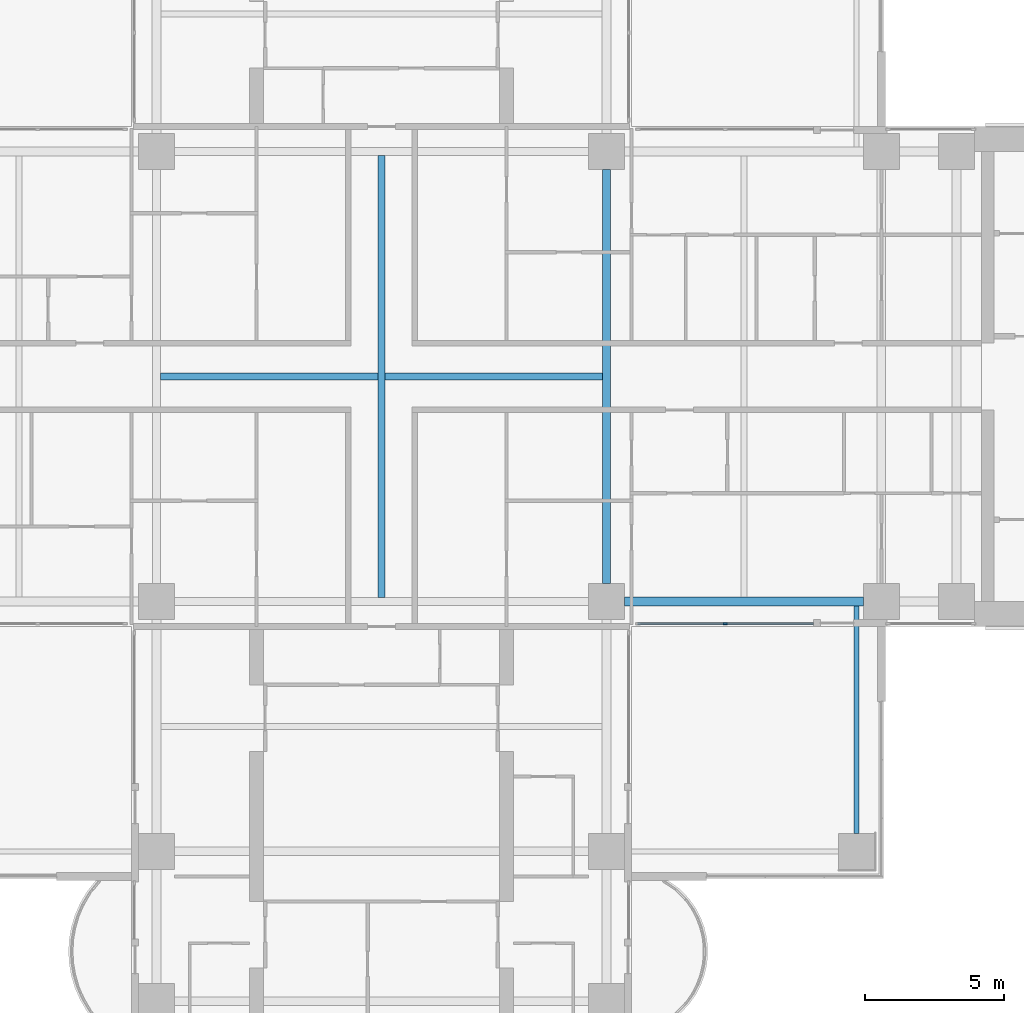
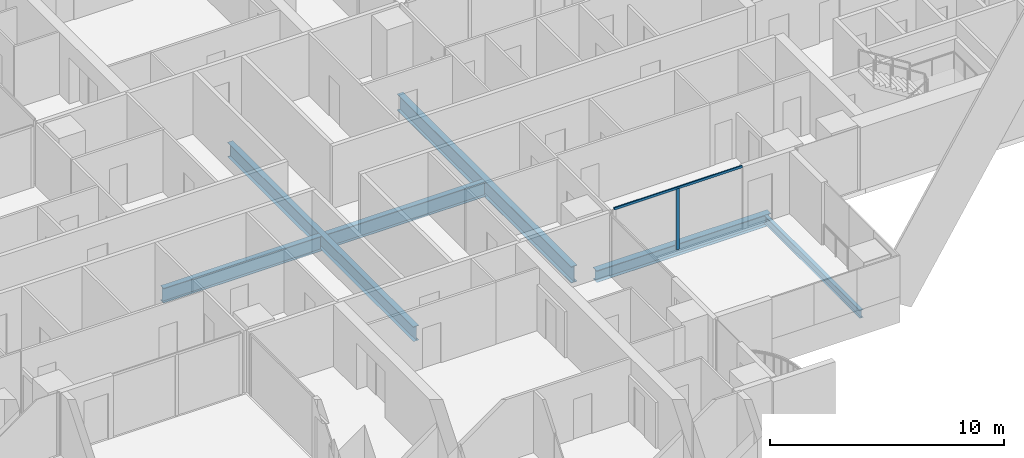
# One storey, part 4 of 23: 6 beams, 2 members, 1 element without a shape of its own.
"""IFC4 building model written with IfcOpenShell, lengths in metres."""

from ifc_helpers import new_model, si_unit, direction, frame, origin, origin_2d, place, context, subcontext, project, spatial, rectangle, i_section, extrude, material, material_profile, profile_set, type_object, element, aggregate, save


model = new_model("IFC4")

# Units and contexts
model_context = context("Model", 3, precision=1e-05, world=origin(), true_north=direction((0.0, 1.0)))
body_context = subcontext(model_context, "Body", "Model", "MODEL_VIEW")
ifc_project = project(units=[si_unit("LENGTHUNIT", "METRE"), si_unit("AREAUNIT", "SQUARE_METRE"), si_unit("VOLUMEUNIT", "CUBIC_METRE"), si_unit("PLANEANGLEUNIT", "RADIAN"), si_unit("MASSUNIT", "GRAM", prefix="KILO")], contexts=[model_context])

# Site, building, storey
site_placement = place(None, origin())
site = spatial("IfcSite", under=ifc_project, at=site_placement, CompositionType="ELEMENT")
building_placement = place(site_placement, origin())
building = spatial("IfcBuilding", under=site, at=building_placement, Name="Perihelion Cross Residences", CompositionType="ELEMENT")
storey_placement = place(building_placement, frame((0.0, 0.0, 85.5)))
storey = spatial("IfcBuildingStorey", under=building, at=storey_placement, Name="L19", CompositionType="ELEMENT", Elevation=85.5)

# Curtain wall, members
ifc_material_1 = material(Name="Bronze anodised aluminium, tinted glazing", Category="aluminium")
curtain_wall_type = type_object("IfcCurtainWallType", Name="CW1", PredefinedType="NOTDEFINED", material=ifc_material_1)
curtain_wall_placement = place(storey_placement, origin())
curtain_wall = element("IfcCurtainWall", 1, at=curtain_wall_placement, inside=storey, type_object=curtain_wall_type, Name="Curtain wall CW1 L19 east side south bay 1", PredefinedType="NOTDEFINED")
ifc_material_2 = material(Name="Bronze anodised aluminium", Category="aluminium")
ifc_material_profile_1 = material_profile(ifc_material_2, rectangle(XDim=0.06005859375, YDim=0.159912109375, at=origin_2d()), Name="CW1 mullion")
ifc_profile_set_1 = profile_set([ifc_material_profile_1], Name="Bronze anodised aluminium")
member_type_1 = type_object("IfcMemberType", Name="CW1 mullion", PredefinedType="MULLION", material=ifc_profile_set_1)
member_1_placement = place(storey_placement, frame((12.375, -8.89990234375, 0.0), z_axis=(0.0, 0.0, 1.0), x_axis=(0.0, 1.0, 0.0)))
member_1 = element("IfcMember", 2, at=member_1_placement, type_object=member_type_1, Name="CW1 mullion 2", PredefinedType="MULLION", context=body_context, shape_type="SweptSolid", body=[
    extrude(rectangle(XDim=0.06005859375, YDim=0.159912109375, at=origin_2d()), origin(), (0.0, 0.0, 1.0), 3.18994140625),
])
ifc_material_3 = material(Name="Bronze anodised aluminium", Category="aluminium")
ifc_material_profile_2 = material_profile(ifc_material_3, rectangle(XDim=0.06005859375, YDim=0.1201171875, at=origin_2d()), Name="CW1 transom")
ifc_profile_set_2 = profile_set([ifc_material_profile_2], Name="Bronze anodised aluminium")
member_type_2 = type_object("IfcMemberType", Name="CW1 transom", PredefinedType="USERDEFINED", material=ifc_profile_set_2)
member_2_placement = place(storey_placement, frame((9.22998046875, -8.89990234375, 3.219970703125), z_axis=(1.0, 0.0, 0.0), x_axis=(0.0, 1.0, 0.0)))
member_2 = element("IfcMember", 3, at=member_2_placement, type_object=member_type_2, Name="CW1 head transom", ObjectType="TRANSOM", PredefinedType="USERDEFINED", context=body_context, shape_type="SweptSolid", body=[
    extrude(rectangle(XDim=0.06005859375, YDim=0.1201171875, at=origin_2d()), origin(), (0.0, 0.0, 1.0), 6.320068359375),
])
aggregate(curtain_wall, [member_1, member_2])

# Beams
ifc_material_4 = material(Name="Steel S355", Category="steel")
ifc_material_profile_3 = material_profile(ifc_material_4, i_section(OverallWidth=0.177978515625, OverallDepth=0.406005859375, WebThickness=0.0078125, FlangeThickness=0.0126953125, at=origin_2d()), Name="W410x60")
ifc_profile_set_3 = profile_set([ifc_material_profile_3], Name="Steel S355")
beam_type_1 = type_object("IfcBeamType", Name="Core edge beam W410x60", PredefinedType="BEAM", material=ifc_profile_set_3)
beam_1_placement = place(storey_placement, frame((17.10009765625, -8.262451171875, -0.452880859375), z_axis=(0.0, -1.0, 0.0), x_axis=(1.0, 0.0, 0.0)))
element("IfcBeam", 4, at=beam_1_placement, inside=storey, type_object=beam_type_1, Name="Core edge beam TB2 L19 corner no. 5", PredefinedType="BEAM", context=body_context, shape_type="SweptSolid", body=[
    extrude(i_section(OverallWidth=0.177978515625, OverallDepth=0.406005859375, WebThickness=0.0078125, FlangeThickness=0.0126953125, at=origin_2d()), origin(), (0.0, 0.0, 1.0), 8.1875),
])
ifc_material_5 = material(Name="Steel S355", Category="steel")
ifc_material_profile_4 = material_profile(ifc_material_5, i_section(OverallWidth=0.324951171875, OverallDepth=0.616943359375, WebThickness=0.013916015625, FlangeThickness=0.021484375, at=origin_2d()), Name="W610x174")
ifc_profile_set_4 = profile_set([ifc_material_profile_4], Name="Steel S355")
beam_type_2 = type_object("IfcBeamType", Name="Edge beam W610x174", PredefinedType="SPANDREL", material=ifc_profile_set_4)
beam_2_placement = place(storey_placement, frame((8.75, -8.10009765625, -0.55859375), z_axis=(1.0, 0.0, 0.0), x_axis=(0.0, 1.0, 0.0)))
element("IfcBeam", 5, at=beam_2_placement, inside=storey, type_object=beam_type_2, Name="Edge beam SB2 L19 no. 18", PredefinedType="SPANDREL", context=body_context, shape_type="SweptSolid", body=[
    extrude(i_section(OverallWidth=0.324951171875, OverallDepth=0.616943359375, WebThickness=0.013916015625, FlangeThickness=0.021484375, at=origin_2d()), origin(), (0.0, 0.0, 1.0), 8.60009765625),
])
ifc_material_6 = material(Name="Steel S355", Category="steel")
ifc_material_profile_5 = material_profile(ifc_material_6, i_section(OverallWidth=0.26708984375, OverallDepth=0.77001953125, WebThickness=0.015625, FlangeThickness=0.025390625, at=origin_2d()), Name="W760x196")
ifc_profile_set_5 = profile_set([ifc_material_profile_5], Name="Steel S355")
beam_type_3 = type_object("IfcBeamType", Name="Hub cross beam W760x196", PredefinedType="BEAM", material=ifc_profile_set_5)
beam_3_placement = place(storey_placement, frame((0.0, -7.9541015625, -0.635009765625), z_axis=(0.0, 1.0, 0.0), x_axis=(-1.0, 0.0, 0.0)))
element("IfcBeam", 6, at=beam_3_placement, inside=storey, type_object=beam_type_3, Name="Hub cross beam XB2 L19 no. 1", PredefinedType="BEAM", context=body_context, shape_type="SweptSolid", body=[
    extrude(i_section(OverallWidth=0.26708984375, OverallDepth=0.77001953125, WebThickness=0.015625, FlangeThickness=0.025390625, at=origin_2d()), origin(), (0.0, 0.0, 1.0), 15.908203125),
])
for number, where, z_axis, x_axis, name in (
    (7, (-7.9541015625, 0.0, -0.635009765625), (1.0, 0.0, 0.0), (0.0, 1.0, 0.0), "Hub cross beam XB2 L19 1 no. 1"),
    (8, (0.133544921875, 0.0, -0.635009765625), (1.0, 0.0, 0.0), (0.0, 1.0, 0.0), "Hub cross beam XB2 L19 2 no. 1"),
):
    element("IfcBeam", number, at=place(storey_placement, frame(where, z_axis=z_axis, x_axis=x_axis)), inside=storey, type_object=beam_type_3, Name=name, PredefinedType="BEAM", context=body_context, shape_type="SweptSolid", body=[
        extrude(i_section(OverallWidth=0.26708984375, OverallDepth=0.77001953125, WebThickness=0.015625, FlangeThickness=0.025390625, at=origin_2d()), origin(), (0.0, 0.0, 1.0), 7.820556640625),
    ])
ifc_material_7 = material(Name="Steel S355", Category="steel")
ifc_material_profile_6 = material_profile(ifc_material_7, i_section(OverallWidth=0.2919921875, OverallDepth=0.85888671875, WebThickness=0.01708984375, FlangeThickness=0.031005859375, at=origin_2d()), Name="W840x251")
ifc_profile_set_6 = profile_set([ifc_material_profile_6], Name="Steel S355")
beam_type_4 = type_object("IfcBeamType", Name="Hub ring girder W840x251", PredefinedType="BEAM", material=ifc_profile_set_6)
beam_4_placement = place(storey_placement, frame((8.10009765625, -7.449951171875, -0.679443359375), z_axis=(0.0, 1.0, 0.0), x_axis=(-1.0, 0.0, 0.0)))
element("IfcBeam", 9, at=beam_4_placement, inside=storey, type_object=beam_type_4, Name="Hub ring girder RG2 L19 no. 3", PredefinedType="BEAM", context=body_context, shape_type="SweptSolid", body=[
    extrude(i_section(OverallWidth=0.2919921875, OverallDepth=0.85888671875, WebThickness=0.01708984375, FlangeThickness=0.031005859375, at=origin_2d()), origin(), (0.0, 0.0, 1.0), 14.89990234375),
])

save(model, "model.ifc")
